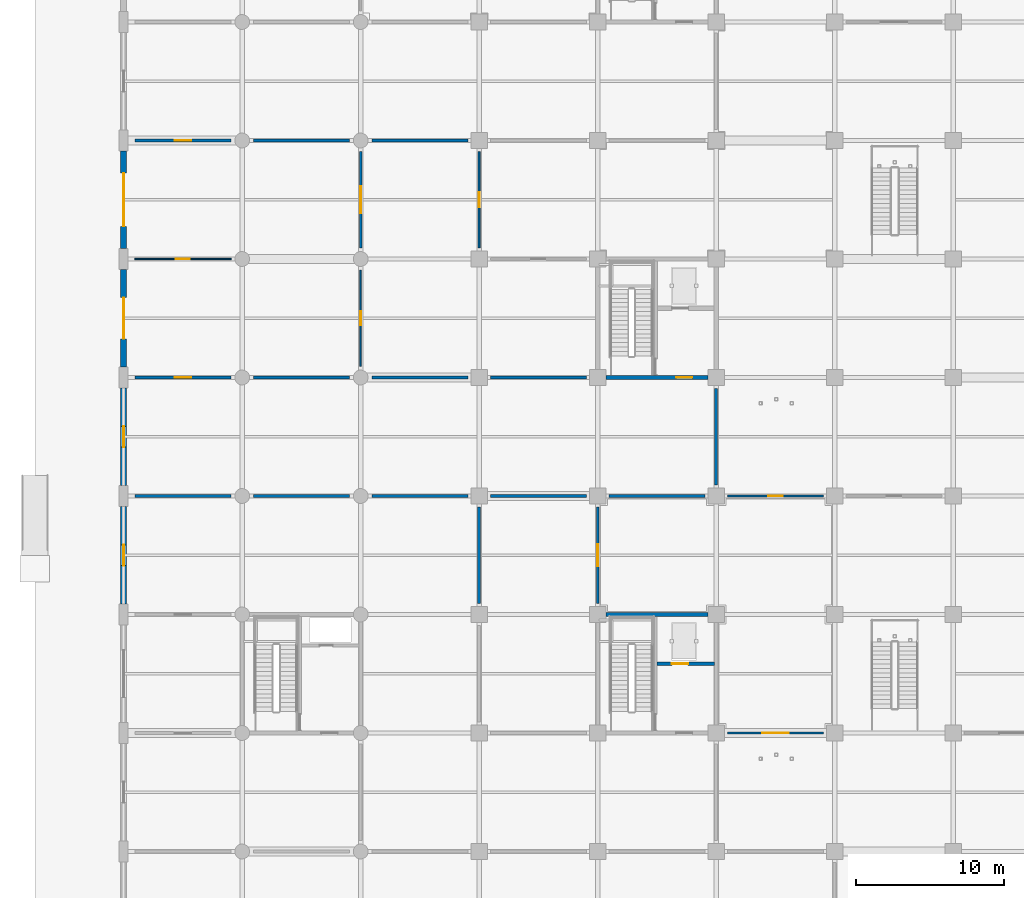
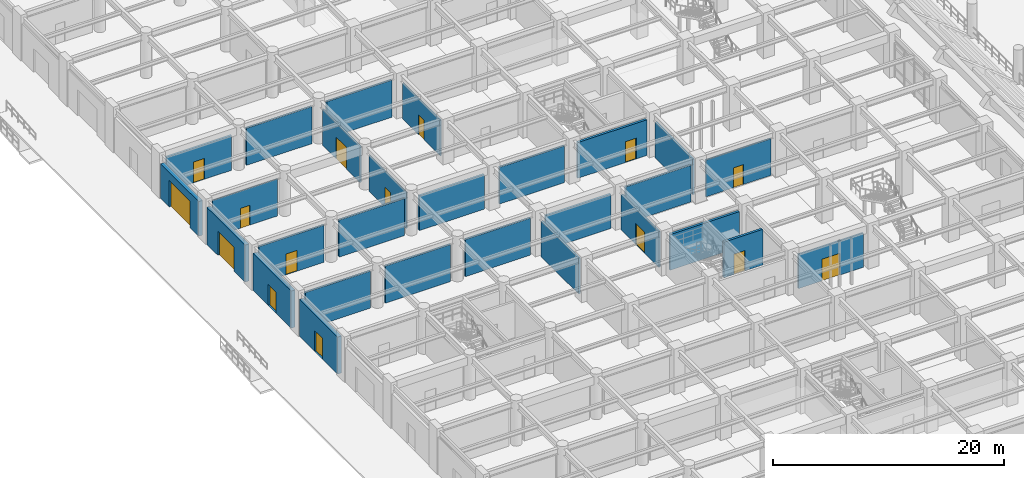
# One storey, part 79 of 125: 28 walls, 15 doors, 15 openings.
"""IFC4 building model written with IfcOpenShell, lengths in metres."""

from ifc_helpers import new_model, si_unit, direction, frame, frame_2d, origin, place, context, subcontext, project, spatial, rectangle, extrude, material, layer, layer_set, type_object, element, fill, save


model = new_model("IFC4")

# Units and contexts
model_context = context("Model", 3, precision=1e-05, world=origin(), true_north=direction((0.0, 1.0)))
body_context = subcontext(model_context, "Body", "Model", "MODEL_VIEW")
ifc_project = project(units=[si_unit("LENGTHUNIT", "METRE"), si_unit("AREAUNIT", "SQUARE_METRE"), si_unit("VOLUMEUNIT", "CUBIC_METRE"), si_unit("PLANEANGLEUNIT", "RADIAN"), si_unit("MASSUNIT", "GRAM", prefix="KILO")], contexts=[model_context])

# Site, building, storey
site_placement = place(None, origin())
site = spatial("IfcSite", under=ifc_project, at=site_placement, CompositionType="ELEMENT")
building_placement = place(site_placement, origin())
building = spatial("IfcBuilding", under=site, at=building_placement, Name="Haebicheon Civic Stadium", CompositionType="ELEMENT")
storey_placement = place(building_placement, origin())
storey = spatial("IfcBuildingStorey", under=building, at=storey_placement, Name="L01", CompositionType="ELEMENT", Elevation=0.0)

# Wall
ifc_material_1 = material(Name="Concrete C40/50", Category="concrete")
ifc_layer_1 = layer(ifc_material_1, 0.239990234375, Name="Concrete C40/50")
ifc_layer_set_1 = layer_set([ifc_layer_1], Name="Concrete C40/50")
wall_type_1 = type_object("IfcWallType", Name="CW-SHR-240", PredefinedType="SHEAR", material=ifc_layer_set_1)
wall_1_placement = place(storey_placement, frame((32.550048828125, 88.0, 0.0), z_axis=(0.0, 0.0, 1.0), x_axis=(1.0, 0.0, 0.0)))
element("IfcWall", 1, at=wall_1_placement, inside=storey, type_object=wall_type_1, material=ifc_layer_set_1, Name="KC-03 L01 north core shear wall", PredefinedType="SHEAR", context=body_context, shape_type="SweptSolid", body=[
    extrude(rectangle(XDim=6.89990234375, YDim=0.239990234375, at=frame_2d((3.449951171875, 0.0))), origin(), (0.0, 0.0, 1.0), 3.77001953125),
])

# Wall, opening, door
wall_2_placement = place(storey_placement, frame((36.0, 84.679931640625, 0.0), z_axis=(0.0, 0.0, 1.0), x_axis=(1.0, 0.0, 0.0)))
wall_2 = element("IfcWall", 2, at=wall_2_placement, inside=storey, type_object=wall_type_1, material=ifc_layer_set_1, Name="KC-03 L01 lift shaft front wall", PredefinedType="SHEAR", context=body_context, shape_type="SweptSolid", body=[
    extrude(rectangle(XDim=3.8798828125, YDim=0.239990234375, at=frame_2d((1.93994140625, 0.0))), origin(), (0.0, 0.0, 1.0), 3.77001953125),
])
opening_1_placement = place(wall_2_placement, frame((1.0, 0.0, 0.0)))
opening_1 = element("IfcOpeningElement", 3, at=opening_1_placement, cuts=wall_2, Name="Opening LD-03-L01", PredefinedType="OPENING", context=body_context, shape_type="SweptSolid", body=[
    extrude(rectangle(XDim=1.10009765625, YDim=2.14990234375, at=frame_2d((0.550048828125, 1.074951171875))), frame((0.0, 0.1298828125, 0.0), z_axis=(0.0, -1.0, 0.0), x_axis=(1.0, 0.0, 0.0)), (0.0, 0.0, 1.0), 0.260009765625),
])
ifc_material_2 = material(Name="Stainless steel 316", Category="steel")
door_type_1 = type_object("IfcDoorType", Name="ID-LD-1100", OperationType="NOTDEFINED", PredefinedType="DOOR", material=ifc_material_2)
door_1_placement = place(opening_1_placement, origin())
door_1 = element("IfcDoor", 4, at=door_1_placement, inside=storey, type_object=door_type_1, material=ifc_material_2, Name="LF-03 lift landing sliding door L01", OperationType="SLIDING_TO_LEFT", OverallHeight=2.14990234375, OverallWidth=1.10009765625, PredefinedType="DOOR", context=body_context, shape_type="SweptSolid", body=[
    extrude(rectangle(XDim=1.10009765625, YDim=2.14990234375, at=frame_2d((0.550048828125, 1.074951171875))), frame((0.0, 0.02490234375, 0.0), z_axis=(0.0, -1.0, 0.0), x_axis=(1.0, 0.0, 0.0)), (0.0, 0.0, 1.0), 0.050048828125),
])
fill(opening_1, door_1)

wall_3_placement = place(storey_placement, frame((32.550048828125, 104.0, 0.0), z_axis=(0.0, 0.0, 1.0), x_axis=(1.0, 0.0, 0.0)))
wall_3 = element("IfcWall", 5, at=wall_3_placement, inside=storey, type_object=wall_type_1, material=ifc_layer_set_1, Name="KC-04 L01 south core shear wall", PredefinedType="SHEAR", context=body_context, shape_type="SweptSolid", body=[
    extrude(rectangle(XDim=6.89990234375, YDim=0.239990234375, at=frame_2d((3.449951171875, 0.0))), origin(), (0.0, 0.0, 1.0), 3.77001953125),
])
opening_2_placement = place(wall_3_placement, frame((4.75, 0.0, 0.0)))
opening_2 = element("IfcOpeningElement", 6, at=opening_2_placement, cuts=wall_3, Name="Opening D-L01-KC-04-LOB", PredefinedType="OPENING", context=body_context, shape_type="SweptSolid", body=[
    extrude(rectangle(XDim=1.10009765625, YDim=2.199951171875, at=frame_2d((0.550048828125, 1.10009765625))), frame((0.0, 0.1298828125, 0.0), z_axis=(0.0, -1.0, 0.0), x_axis=(1.0, 0.0, 0.0)), (0.0, 0.0, 1.0), 0.260009765625),
])
ifc_material_3 = material(Name="Galvanised painted steel SM355", Category="steel")
door_type_2 = type_object("IfcDoorType", Name="ID-FD-1100", OperationType="NOTDEFINED", PredefinedType="DOOR", material=ifc_material_3)
door_2_placement = place(opening_2_placement, origin())
door_2 = element("IfcDoor", 7, at=door_2_placement, inside=storey, type_object=door_type_2, material=ifc_material_3, Name="L01 KC-04 lobby fire door", OperationType="SINGLE_SWING_RIGHT", OverallHeight=2.199951171875, OverallWidth=1.10009765625, PredefinedType="DOOR", context=body_context, shape_type="SweptSolid", body=[
    extrude(rectangle(XDim=1.10009765625, YDim=2.199951171875, at=frame_2d((0.550048828125, 1.10009765625))), frame((0.0, 0.02490234375, 0.0), z_axis=(0.0, -1.0, 0.0), x_axis=(1.0, 0.0, 0.0)), (0.0, 0.0, 1.0), 0.050048828125),
])
fill(opening_2, door_2)

ifc_material_4 = material(Name="Concrete C40/50", Category="concrete")
ifc_layer_2 = layer(ifc_material_4, 0.39990234375, Name="Concrete C40/50")
ifc_layer_set_2 = layer_set([ifc_layer_2], Name="Concrete C40/50")
wall_type_2 = type_object("IfcWallType", Name="EW-BM-400", PredefinedType="SOLIDWALL", material=ifc_layer_set_2)
wall_4_placement = place(storey_placement, frame((0.0, 88.699951171875, 0.0), z_axis=(0.0, 0.0, 1.0), x_axis=(0.0, 1.0, 0.0)))
wall_4 = element("IfcWall", 8, at=wall_4_placement, inside=storey, type_object=wall_type_2, material=ifc_layer_set_2, Name="L01 board-marked concrete facade wall 00-11-W", PredefinedType="SOLIDWALL", context=body_context, shape_type="SweptSolid", body=[
    extrude(rectangle(XDim=6.60009765625, YDim=0.39990234375, at=frame_2d((3.300048828125, 0.0))), origin(), (0.0, 0.0, 1.0), 3.909912109375),
])
opening_3_placement = place(wall_4_placement, frame((2.60009765625, 0.0, 0.0)))
opening_3 = element("IfcOpeningElement", 9, at=opening_3_placement, cuts=wall_4, Name="Opening DX16", PredefinedType="OPENING", context=body_context, shape_type="SweptSolid", body=[
    extrude(rectangle(XDim=1.39990234375, YDim=2.199951171875, at=frame_2d((0.699951171875, 1.10009765625))), frame((0.0, 0.2099609375, 0.0), z_axis=(0.0, -1.0, 0.0), x_axis=(1.0, 0.0, 0.0)), (0.0, 0.0, 1.0), 0.419921875),
])
ifc_material_5 = material(Name="Galvanised painted steel SM355", Category="steel")
door_type_3 = type_object("IfcDoorType", Name="ED-EXIT-1400", OperationType="NOTDEFINED", PredefinedType="DOOR", material=ifc_material_5)
door_3_placement = place(opening_3_placement, origin())
door_3 = element("IfcDoor", 10, at=door_3_placement, inside=storey, type_object=door_type_3, material=ifc_material_5, Name="Protected exit passage final exit door DX16", OperationType="SINGLE_SWING_LEFT", OverallHeight=2.199951171875, OverallWidth=1.39990234375, PredefinedType="DOOR", context=body_context, shape_type="SweptSolid", body=[
    extrude(rectangle(XDim=1.39990234375, YDim=2.199951171875, at=frame_2d((0.699951171875, 1.10009765625))), frame((0.0, 0.02490234375, 0.0), z_axis=(0.0, -1.0, 0.0), x_axis=(1.0, 0.0, 0.0)), (0.0, 0.0, 1.0), 0.050048828125),
])
fill(opening_3, door_3)

wall_5_placement = place(storey_placement, frame((0.0, 96.699951171875, 0.0), z_axis=(0.0, 0.0, 1.0), x_axis=(0.0, 1.0, 0.0)))
wall_5 = element("IfcWall", 11, at=wall_5_placement, inside=storey, type_object=wall_type_2, material=ifc_layer_set_2, Name="L01 board-marked concrete facade wall 00-12-W", PredefinedType="SOLIDWALL", context=body_context, shape_type="SweptSolid", body=[
    extrude(rectangle(XDim=6.60009765625, YDim=0.39990234375, at=frame_2d((3.300048828125, 0.0))), origin(), (0.0, 0.0, 1.0), 3.909912109375),
])
opening_4_placement = place(wall_5_placement, frame((2.60009765625, 0.0, 0.0)))
opening_4 = element("IfcOpeningElement", 12, at=opening_4_placement, cuts=wall_5, Name="Opening DX13", PredefinedType="OPENING", context=body_context, shape_type="SweptSolid", body=[
    extrude(rectangle(XDim=1.39990234375, YDim=2.199951171875, at=frame_2d((0.699951171875, 1.10009765625))), frame((0.0, 0.2099609375, 0.0), z_axis=(0.0, -1.0, 0.0), x_axis=(1.0, 0.0, 0.0)), (0.0, 0.0, 1.0), 0.419921875),
])
door_4_placement = place(opening_4_placement, origin())
door_4 = element("IfcDoor", 13, at=door_4_placement, inside=storey, type_object=door_type_3, material=ifc_material_5, Name="Protected exit passage final exit door DX13", OperationType="SINGLE_SWING_LEFT", OverallHeight=2.199951171875, OverallWidth=1.39990234375, PredefinedType="DOOR", context=body_context, shape_type="SweptSolid", body=[
    extrude(rectangle(XDim=1.39990234375, YDim=2.199951171875, at=frame_2d((0.699951171875, 1.10009765625))), frame((0.0, 0.02490234375, 0.0), z_axis=(0.0, -1.0, 0.0), x_axis=(1.0, 0.0, 0.0)), (0.0, 0.0, 1.0), 0.050048828125),
])
fill(opening_4, door_4)

wall_6_placement = place(storey_placement, frame((0.0, 104.699951171875, 0.0), z_axis=(0.0, 0.0, 1.0), x_axis=(0.0, 1.0, 0.0)))
wall_6 = element("IfcWall", 14, at=wall_6_placement, inside=storey, type_object=wall_type_2, material=ifc_layer_set_2, Name="L01 board-marked concrete facade wall 00-13-W", PredefinedType="SOLIDWALL", context=body_context, shape_type="SweptSolid", body=[
    extrude(rectangle(XDim=6.60009765625, YDim=0.39990234375, at=frame_2d((3.300048828125, 0.0))), origin(), (0.0, 0.0, 1.0), 3.909912109375),
])
opening_5_placement = place(wall_6_placement, frame((1.89990234375, 0.0, 0.0)))
opening_5 = element("IfcOpeningElement", 15, at=opening_5_placement, cuts=wall_6, Name="Opening G03", PredefinedType="OPENING", context=body_context, shape_type="SweptSolid", body=[
    extrude(rectangle(XDim=2.800048828125, YDim=2.550048828125, at=frame_2d((1.39990234375, 1.27490234375))), frame((0.0, 0.2099609375, 0.0), z_axis=(0.0, -1.0, 0.0), x_axis=(1.0, 0.0, 0.0)), (0.0, 0.0, 1.0), 0.419921875),
])
ifc_material_6 = material(Name="Anodised aluminium 6063-T6", Category="aluminium")
door_type_4 = type_object("IfcDoorType", Name="ED-GATE-2800", OperationType="NOTDEFINED", PredefinedType="DOOR", material=ifc_material_6)
door_5_placement = place(opening_5_placement, origin())
door_5 = element("IfcDoor", 16, at=door_5_placement, inside=storey, type_object=door_type_4, material=ifc_material_6, Name="Pedestrian exit gate G3", OperationType="DOUBLE_SWING_LEFT", OverallHeight=2.550048828125, OverallWidth=2.800048828125, PredefinedType="DOOR", context=body_context, shape_type="SweptSolid", body=[
    extrude(rectangle(XDim=2.800048828125, YDim=2.550048828125, at=frame_2d((1.39990234375, 1.27490234375))), frame((0.0, 0.02490234375, 0.0), z_axis=(0.0, -1.0, 0.0), x_axis=(1.0, 0.0, 0.0)), (0.0, 0.0, 1.0), 0.050048828125),
])
fill(opening_5, door_5)

wall_7_placement = place(storey_placement, frame((0.0, 112.699951171875, 0.0), z_axis=(0.0, 0.0, 1.0), x_axis=(0.0, 1.0, 0.0)))
wall_7 = element("IfcWall", 17, at=wall_7_placement, inside=storey, type_object=wall_type_2, material=ifc_layer_set_2, Name="L01 board-marked concrete facade wall 00-14-W", PredefinedType="SOLIDWALL", context=body_context, shape_type="SweptSolid", body=[
    extrude(rectangle(XDim=6.60009765625, YDim=0.39990234375, at=frame_2d((3.300048828125, 0.0))), origin(), (0.0, 0.0, 1.0), 3.659912109375),
])
opening_6_placement = place(wall_7_placement, frame((1.5, 0.0, 0.0)))
opening_6 = element("IfcOpeningElement", 18, at=opening_6_placement, cuts=wall_7, Name="Opening E03", PredefinedType="OPENING", context=body_context, shape_type="SweptSolid", body=[
    extrude(rectangle(XDim=3.60009765625, YDim=2.800048828125, at=frame_2d((1.800048828125, 1.39990234375))), frame((0.0, 0.2099609375, 0.0), z_axis=(0.0, -1.0, 0.0), x_axis=(1.0, 0.0, 0.0)), (0.0, 0.0, 1.0), 0.419921875),
])
ifc_material_7 = material(Name="Anodised aluminium and laminated glass", Category="aluminium")
door_type_5 = type_object("IfcDoorType", Name="ED-MAIN-3600", OperationType="NOTDEFINED", PredefinedType="DOOR", material=ifc_material_7)
door_6_placement = place(opening_6_placement, origin())
door_6 = element("IfcDoor", 19, at=door_6_placement, inside=storey, type_object=door_type_5, material=ifc_material_7, Name="Main entrance E3", OperationType="DOUBLE_SWING_LEFT", OverallHeight=2.800048828125, OverallWidth=3.60009765625, PredefinedType="DOOR", context=body_context, shape_type="SweptSolid", body=[
    extrude(rectangle(XDim=3.60009765625, YDim=2.800048828125, at=frame_2d((1.800048828125, 1.39990234375))), frame((0.0, 0.02490234375, 0.0), z_axis=(0.0, -1.0, 0.0), x_axis=(1.0, 0.0, 0.0)), (0.0, 0.0, 1.0), 0.050048828125),
])
fill(opening_6, door_6)

ifc_material_8 = material(Name="Concrete C35/45", Category="concrete")
ifc_layer_3 = layer(ifc_material_8, 0.199951171875, Name="Concrete C35/45")
ifc_layer_set_3 = layer_set([ifc_layer_3], Name="Concrete C35/45")
wall_type_3 = type_object("IfcWallType", Name="IW-FIR-200", PredefinedType="PARTITIONING", material=ifc_layer_set_3)
wall_8_placement = place(storey_placement, frame((0.75, 120.0, 0.0), z_axis=(0.0, 0.0, 1.0), x_axis=(1.0, 0.0, 0.0)))
wall_8 = element("IfcWall", 20, at=wall_8_placement, inside=storey, type_object=wall_type_3, material=ifc_layer_set_3, Name="L01 KC-05 protected exit passage EI 120 wall 01", PredefinedType="PARTITIONING", context=body_context, shape_type="SweptSolid", body=[
    extrude(rectangle(XDim=6.5, YDim=0.199951171875, at=frame_2d((3.25, 0.0))), origin(), (0.0, 0.0, 1.0), 3.659912109375),
])
opening_7_placement = place(wall_8_placement, frame((2.699951171875, 0.0, 0.0)))
opening_7 = element("IfcOpeningElement", 21, at=opening_7_placement, cuts=wall_8, Name="Opening D-L01-PXP-02", PredefinedType="OPENING", context=body_context, shape_type="SweptSolid", body=[
    extrude(rectangle(XDim=1.10009765625, YDim=2.199951171875, at=frame_2d((0.550048828125, 1.10009765625))), frame((0.0, 0.10986328125, 0.0), z_axis=(0.0, -1.0, 0.0), x_axis=(1.0, 0.0, 0.0)), (0.0, 0.0, 1.0), 0.219970703125),
])
door_7_placement = place(opening_7_placement, origin())
door_7 = element("IfcDoor", 22, at=door_7_placement, inside=storey, type_object=door_type_2, material=ifc_material_3, Name="L01 KC-05 protected exit passage lobby fire door", OperationType="SINGLE_SWING_RIGHT", OverallHeight=2.199951171875, OverallWidth=1.10009765625, PredefinedType="DOOR", context=body_context, shape_type="SweptSolid", body=[
    extrude(rectangle(XDim=1.10009765625, YDim=2.199951171875, at=frame_2d((0.550048828125, 1.10009765625))), frame((0.0, 0.02490234375, 0.0), z_axis=(0.0, -1.0, 0.0), x_axis=(1.0, 0.0, 0.0)), (0.0, 0.0, 1.0), 0.050048828125),
])
fill(opening_7, door_7)

# Walls
for number, where, z_axis, x_axis, name in (
    (23, (8.75, 120.0, 0.0), (0.0, 0.0, 1.0), (1.0, 0.0, 0.0), "L01 KC-05 protected exit passage EI 120 wall 03"),
    (24, (16.75, 120.0, 0.0), (0.0, 0.0, 1.0), (1.0, 0.0, 0.0), "L01 KC-05 protected exit passage EI 120 wall 05"),
    (25, (0.75, 96.0, 0.0), (0.0, 0.0, 1.0), (1.0, 0.0, 0.0), "L01 KC-04 protected exit passage EI 120 wall 01"),
):
    element("IfcWall", number, at=place(storey_placement, frame(where, z_axis=z_axis, x_axis=x_axis)), inside=storey, type_object=wall_type_3, material=ifc_layer_set_3, Name=name, PredefinedType="PARTITIONING", context=body_context, shape_type="SweptSolid", body=[
        extrude(rectangle(XDim=6.5, YDim=0.199951171875, at=frame_2d((3.25, 0.0))), origin(), (0.0, 0.0, 1.0), 3.909912109375),
    ])

# Wall, opening, door
wall_9_placement = place(storey_placement, frame((0.75, 104.0, 0.0), z_axis=(0.0, 0.0, 1.0), x_axis=(1.0, 0.0, 0.0)))
wall_9 = element("IfcWall", 26, at=wall_9_placement, inside=storey, type_object=wall_type_3, material=ifc_layer_set_3, Name="L01 KC-04 protected exit passage EI 120 wall 02", PredefinedType="PARTITIONING", context=body_context, shape_type="SweptSolid", body=[
    extrude(rectangle(XDim=6.5, YDim=0.199951171875, at=frame_2d((3.25, 0.0))), origin(), (0.0, 0.0, 1.0), 3.909912109375),
])
opening_8_placement = place(wall_9_placement, frame((2.699951171875, 0.0, 0.0)))
opening_8 = element("IfcOpeningElement", 27, at=opening_8_placement, cuts=wall_9, Name="Opening D-L01-PXP-13", PredefinedType="OPENING", context=body_context, shape_type="SweptSolid", body=[
    extrude(rectangle(XDim=1.10009765625, YDim=2.199951171875, at=frame_2d((0.550048828125, 1.10009765625))), frame((0.0, 0.10986328125, 0.0), z_axis=(0.0, -1.0, 0.0), x_axis=(1.0, 0.0, 0.0)), (0.0, 0.0, 1.0), 0.219970703125),
])
door_8_placement = place(opening_8_placement, origin())
door_8 = element("IfcDoor", 28, at=door_8_placement, inside=storey, type_object=door_type_2, material=ifc_material_3, Name="L01 KC-04 protected exit passage lobby fire door", OperationType="SINGLE_SWING_LEFT", OverallHeight=2.199951171875, OverallWidth=1.10009765625, PredefinedType="DOOR", context=body_context, shape_type="SweptSolid", body=[
    extrude(rectangle(XDim=1.10009765625, YDim=2.199951171875, at=frame_2d((0.550048828125, 1.10009765625))), frame((0.0, 0.02490234375, 0.0), z_axis=(0.0, -1.0, 0.0), x_axis=(1.0, 0.0, 0.0)), (0.0, 0.0, 1.0), 0.050048828125),
])
fill(opening_8, door_8)

# Walls
for number, where, z_axis, x_axis, name in (
    (29, (8.75, 96.0, 0.0), (0.0, 0.0, 1.0), (1.0, 0.0, 0.0), "L01 KC-04 protected exit passage EI 120 wall 03"),
    (30, (8.75, 104.0, 0.0), (0.0, 0.0, 1.0), (1.0, 0.0, 0.0), "L01 KC-04 protected exit passage EI 120 wall 04"),
    (31, (16.75, 96.0, 0.0), (0.0, 0.0, 1.0), (1.0, 0.0, 0.0), "L01 KC-04 protected exit passage EI 120 wall 05"),
):
    element("IfcWall", number, at=place(storey_placement, frame(where, z_axis=z_axis, x_axis=x_axis)), inside=storey, type_object=wall_type_3, material=ifc_layer_set_3, Name=name, PredefinedType="PARTITIONING", context=body_context, shape_type="SweptSolid", body=[
        extrude(rectangle(XDim=6.5, YDim=0.199951171875, at=frame_2d((3.25, 0.0))), origin(), (0.0, 0.0, 1.0), 3.909912109375),
    ])
wall_10_placement = place(storey_placement, frame((16.75, 104.0, 0.0), z_axis=(0.0, 0.0, 1.0), x_axis=(1.0, 0.0, 0.0)))
element("IfcWall", 32, at=wall_10_placement, inside=storey, type_object=wall_type_3, material=ifc_layer_set_3, Name="L01 KC-04 protected exit passage EI 120 wall 06", PredefinedType="PARTITIONING", context=body_context, shape_type="SweptSolid", body=[
    extrude(rectangle(XDim=6.5, YDim=0.199951171875, at=frame_2d((3.25, 0.0))), origin(), (0.0, 0.0, 1.0), 3.659912109375),
])
wall_11_placement = place(storey_placement, frame((24.75, 96.0, 0.0), z_axis=(0.0, 0.0, 1.0), x_axis=(1.0, 0.0, 0.0)))
element("IfcWall", 33, at=wall_11_placement, inside=storey, type_object=wall_type_3, material=ifc_layer_set_3, Name="L01 KC-04 protected exit passage EI 120 wall 07", PredefinedType="PARTITIONING", context=body_context, shape_type="SweptSolid", body=[
    extrude(rectangle(XDim=6.5, YDim=0.199951171875, at=frame_2d((3.25, 0.0))), origin(), (0.0, 0.0, 1.0), 3.6201171875),
])
wall_12_placement = place(storey_placement, frame((24.75, 104.0, 0.0), z_axis=(0.0, 0.0, 1.0), x_axis=(1.0, 0.0, 0.0)))
element("IfcWall", 34, at=wall_12_placement, inside=storey, type_object=wall_type_3, material=ifc_layer_set_3, Name="L01 KC-04 protected exit passage EI 120 wall 08", PredefinedType="PARTITIONING", context=body_context, shape_type="SweptSolid", body=[
    extrude(rectangle(XDim=6.5, YDim=0.199951171875, at=frame_2d((3.25, 0.0))), origin(), (0.0, 0.0, 1.0), 3.8701171875),
])
wall_13_placement = place(storey_placement, frame((40.0, 96.75, 0.0), z_axis=(0.0, 0.0, 1.0), x_axis=(0.0, 1.0, 0.0)))
element("IfcWall", 35, at=wall_13_placement, inside=storey, type_object=wall_type_3, material=ifc_layer_set_3, Name="L01 KC-04 protected exit passage EI 120 wall 09", PredefinedType="PARTITIONING", context=body_context, shape_type="SweptSolid", body=[
    extrude(rectangle(XDim=6.5, YDim=0.199951171875, at=frame_2d((3.25, 0.0))), origin(), (0.0, 0.0, 1.0), 3.77001953125),
])
wall_14_placement = place(storey_placement, frame((32.75, 96.0, 0.0), z_axis=(0.0, 0.0, 1.0), x_axis=(1.0, 0.0, 0.0)))
element("IfcWall", 36, at=wall_14_placement, inside=storey, type_object=wall_type_3, material=ifc_layer_set_3, Name="L01 KC-04 protected exit passage EI 120 wall 10", PredefinedType="PARTITIONING", context=body_context, shape_type="SweptSolid", body=[
    extrude(rectangle(XDim=6.5, YDim=0.199951171875, at=frame_2d((3.25, 0.0))), origin(), (0.0, 0.0, 1.0), 3.8701171875),
])
wall_15_placement = place(storey_placement, frame((24.0, 88.75, 0.0), z_axis=(0.0, 0.0, 1.0), x_axis=(0.0, 1.0, 0.0)))
element("IfcWall", 37, at=wall_15_placement, inside=storey, type_object=wall_type_3, material=ifc_layer_set_3, Name="L01 KC-03 protected exit passage EI 120 wall 07", PredefinedType="PARTITIONING", context=body_context, shape_type="SweptSolid", body=[
    extrude(rectangle(XDim=6.5, YDim=0.199951171875, at=frame_2d((3.25, 0.0))), origin(), (0.0, 0.0, 1.0), 3.77001953125),
])

# Wall, opening, door
ifc_material_9 = material(Name="Anodised aluminium and laminated glass", Category="aluminium")
ifc_layer_4 = layer(ifc_material_9, 0.10009765625, Name="Anodised aluminium and laminated glass")
ifc_layer_set_4 = layer_set([ifc_layer_4], Name="Anodised aluminium and laminated glass")
wall_type_4 = type_object("IfcWallType", Name="IW-PRT-100", PredefinedType="PARTITIONING", material=ifc_layer_set_4)
wall_16_placement = place(storey_placement, frame((0.75, 112.0, 0.0), z_axis=(0.0, 0.0, 1.0), x_axis=(1.0, 0.0, 0.0)))
wall_16 = element("IfcWall", 38, at=wall_16_placement, inside=storey, type_object=wall_type_4, material=ifc_layer_set_4, Name="L01 Supporters' Cafe partition wall", PredefinedType="PARTITIONING", context=body_context, shape_type="SweptSolid", body=[
    extrude(rectangle(XDim=6.5, YDim=0.10009765625, at=frame_2d((3.25, 0.0))), origin(), (0.0, 0.0, 1.0), 3.909912109375),
])
opening_9_placement = place(wall_16_placement, frame((2.77490234375, 0.0, 0.0)))
opening_9 = element("IfcOpeningElement", 39, at=opening_9_placement, cuts=wall_16, Name="Opening D-L01-169", PredefinedType="OPENING", context=body_context, shape_type="SweptSolid", body=[
    extrude(rectangle(XDim=0.949951171875, YDim=2.10009765625, at=frame_2d((0.47509765625, 1.050048828125))), frame((0.0, 0.06005859375, 0.0), z_axis=(0.0, -1.0, 0.0), x_axis=(1.0, 0.0, 0.0)), (0.0, 0.0, 1.0), 0.1201171875),
])
ifc_material_10 = material(Name="Engineered hardwood timber", Category="wood")
door_type_6 = type_object("IfcDoorType", Name="ID-RM-0950", OperationType="NOTDEFINED", PredefinedType="DOOR", material=ifc_material_10)
door_9_placement = place(opening_9_placement, origin())
door_9 = element("IfcDoor", 40, at=door_9_placement, inside=storey, type_object=door_type_6, material=ifc_material_10, Name="L01 Supporters' Cafe entrance door D-L01-169", OperationType="SINGLE_SWING_LEFT", OverallHeight=2.10009765625, OverallWidth=0.949951171875, PredefinedType="DOOR", context=body_context, shape_type="SweptSolid", body=[
    extrude(rectangle(XDim=0.949951171875, YDim=2.10009765625, at=frame_2d((0.47509765625, 1.050048828125))), frame((0.0, 0.02490234375, 0.0), z_axis=(0.0, -1.0, 0.0), x_axis=(1.0, 0.0, 0.0)), (0.0, 0.0, 1.0), 0.050048828125),
])
fill(opening_9, door_9)

wall_17_placement = place(storey_placement, frame((16.0, 104.75, 0.0), z_axis=(0.0, 0.0, 1.0), x_axis=(0.0, 1.0, 0.0)))
wall_17 = element("IfcWall", 41, at=wall_17_placement, inside=storey, type_object=wall_type_4, material=ifc_layer_set_4, Name="L01 Club Megastore partition wall", PredefinedType="PARTITIONING", context=body_context, shape_type="SweptSolid", body=[
    extrude(rectangle(XDim=6.5, YDim=0.10009765625, at=frame_2d((3.25, 0.0))), origin(), (0.0, 0.0, 1.0), 3.81005859375),
])
opening_10_placement = place(wall_17_placement, frame((2.77490234375, 0.0, 0.0)))
opening_10 = element("IfcOpeningElement", 42, at=opening_10_placement, cuts=wall_17, Name="Opening D-L01-175", PredefinedType="OPENING", context=body_context, shape_type="SweptSolid", body=[
    extrude(rectangle(XDim=0.949951171875, YDim=2.10009765625, at=frame_2d((0.47509765625, 1.050048828125))), frame((0.0, 0.06005859375, 0.0), z_axis=(0.0, -1.0, 0.0), x_axis=(1.0, 0.0, 0.0)), (0.0, 0.0, 1.0), 0.1201171875),
])
door_10_placement = place(opening_10_placement, origin())
door_10 = element("IfcDoor", 43, at=door_10_placement, inside=storey, type_object=door_type_6, material=ifc_material_10, Name="L01 Club Megastore entrance door D-L01-175", OperationType="SINGLE_SWING_LEFT", OverallHeight=2.10009765625, OverallWidth=0.949951171875, PredefinedType="DOOR", context=body_context, shape_type="SweptSolid", body=[
    extrude(rectangle(XDim=0.949951171875, YDim=2.10009765625, at=frame_2d((0.47509765625, 1.050048828125))), frame((0.0, 0.02490234375, 0.0), z_axis=(0.0, -1.0, 0.0), x_axis=(1.0, 0.0, 0.0)), (0.0, 0.0, 1.0), 0.050048828125),
])
fill(opening_10, door_10)

ifc_material_11 = material(Name="Gypsum plasterboard on steel studs", Category="gypsum")
ifc_layer_5 = layer(ifc_material_11, 0.1298828125, Name="Gypsum plasterboard on steel studs")
ifc_layer_set_5 = layer_set([ifc_layer_5], Name="Gypsum plasterboard on steel studs")
wall_type_5 = type_object("IfcWallType", Name="IW-PRT-130", PredefinedType="PARTITIONING", material=ifc_layer_set_5)
wall_18_placement = place(storey_placement, frame((24.0, 112.75, 0.0), z_axis=(0.0, 0.0, 1.0), x_axis=(0.0, 1.0, 0.0)))
wall_18 = element("IfcWall", 44, at=wall_18_placement, inside=storey, type_object=wall_type_5, material=ifc_layer_set_5, Name="L01 Civic Sports Exhibition Gallery partition wall", PredefinedType="PARTITIONING", context=body_context, shape_type="SweptSolid", body=[
    extrude(rectangle(XDim=6.5, YDim=0.1298828125, at=frame_2d((3.25, 0.0))), origin(), (0.0, 0.0, 1.0), 3.77001953125),
])
opening_11_placement = place(wall_18_placement, frame((2.75, 0.0, 0.0)))
opening_11 = element("IfcOpeningElement", 45, at=opening_11_placement, cuts=wall_18, Name="Opening D-L01-176", PredefinedType="OPENING", context=body_context, shape_type="SweptSolid", body=[
    extrude(rectangle(XDim=1.0, YDim=2.10009765625, at=frame_2d((0.5, 1.050048828125))), frame((0.0, 0.074951171875, 0.0), z_axis=(0.0, -1.0, 0.0), x_axis=(1.0, 0.0, 0.0)), (0.0, 0.0, 1.0), 0.14990234375),
])
ifc_material_12 = material(Name="Engineered hardwood timber", Category="wood")
door_type_7 = type_object("IfcDoorType", Name="ID-RM-1000", OperationType="NOTDEFINED", PredefinedType="DOOR", material=ifc_material_12)
door_11_placement = place(opening_11_placement, origin())
door_11 = element("IfcDoor", 46, at=door_11_placement, inside=storey, type_object=door_type_7, material=ifc_material_12, Name="L01 Civic Sports Exhibition Gallery entrance door D-L01-176", OperationType="SINGLE_SWING_RIGHT", OverallHeight=2.10009765625, OverallWidth=1.0, PredefinedType="DOOR", context=body_context, shape_type="SweptSolid", body=[
    extrude(rectangle(XDim=1.0, YDim=2.10009765625, at=frame_2d((0.5, 1.050048828125))), frame((0.0, 0.02490234375, 0.0), z_axis=(0.0, -1.0, 0.0), x_axis=(1.0, 0.0, 0.0)), (0.0, 0.0, 1.0), 0.050048828125),
])
fill(opening_11, door_11)

ifc_material_13 = material(Name="Gypsum plasterboard on steel studs", Category="gypsum")
ifc_layer_6 = layer(ifc_material_13, 0.14990234375, Name="Gypsum plasterboard on steel studs")
ifc_layer_set_6 = layer_set([ifc_layer_6], Name="Gypsum plasterboard on steel studs")
wall_type_6 = type_object("IfcWallType", Name="IW-PRT-150", PredefinedType="PARTITIONING", material=ifc_layer_set_6)
wall_19_placement = place(storey_placement, frame((40.75, 80.0, 0.0), z_axis=(0.0, 0.0, 1.0), x_axis=(1.0, 0.0, 0.0)))
wall_19 = element("IfcWall", 47, at=wall_19_placement, inside=storey, type_object=wall_type_6, material=ifc_layer_set_6, Name="L01 Mixed Zone Media Interview Hall partition wall", PredefinedType="PARTITIONING", context=body_context, shape_type="SweptSolid", body=[
    extrude(rectangle(XDim=6.5, YDim=0.14990234375, at=frame_2d((3.25, 0.0))), origin(), (0.0, 0.0, 1.0), 3.6201171875),
])
opening_12_placement = place(wall_19_placement, frame((2.35009765625, 0.0, 0.0)))
opening_12 = element("IfcOpeningElement", 48, at=opening_12_placement, cuts=wall_19, Name="Opening D-L01-119", PredefinedType="OPENING", context=body_context, shape_type="SweptSolid", body=[
    extrude(rectangle(XDim=1.800048828125, YDim=2.300048828125, at=frame_2d((0.89990234375, 1.14990234375))), frame((0.0, 0.0849609375, 0.0), z_axis=(0.0, -1.0, 0.0), x_axis=(1.0, 0.0, 0.0)), (0.0, 0.0, 1.0), 0.169921875),
])
ifc_material_14 = material(Name="Galvanised painted steel SM355", Category="steel")
door_type_8 = type_object("IfcDoorType", Name="ID-DBL-1800", OperationType="NOTDEFINED", PredefinedType="DOOR", material=ifc_material_14)
door_12_placement = place(opening_12_placement, origin())
door_12 = element("IfcDoor", 49, at=door_12_placement, inside=storey, type_object=door_type_8, material=ifc_material_14, Name="L01 Mixed Zone Media Interview Hall entrance door D-L01-119", OperationType="DOUBLE_SWING_LEFT", OverallHeight=2.300048828125, OverallWidth=1.800048828125, PredefinedType="DOOR", context=body_context, shape_type="SweptSolid", body=[
    extrude(rectangle(XDim=1.800048828125, YDim=2.300048828125, at=frame_2d((0.89990234375, 1.14990234375))), frame((0.0, 0.02490234375, 0.0), z_axis=(0.0, -1.0, 0.0), x_axis=(1.0, 0.0, 0.0)), (0.0, 0.0, 1.0), 0.050048828125),
])
fill(opening_12, door_12)

wall_20_placement = place(storey_placement, frame((16.0, 112.75, 0.0), z_axis=(0.0, 0.0, 1.0), x_axis=(0.0, 1.0, 0.0)))
wall_20 = element("IfcWall", 50, at=wall_20_placement, inside=storey, type_object=wall_type_6, material=ifc_layer_set_6, Name="L01 Ticketing Hall partition wall", PredefinedType="PARTITIONING", context=body_context, shape_type="SweptSolid", body=[
    extrude(rectangle(XDim=6.5, YDim=0.14990234375, at=frame_2d((3.25, 0.0))), origin(), (0.0, 0.0, 1.0), 3.81005859375),
])
opening_13_placement = place(wall_20_placement, frame((2.35009765625, 0.0, 0.0)))
opening_13 = element("IfcOpeningElement", 51, at=opening_13_placement, cuts=wall_20, Name="Opening D-L01-170", PredefinedType="OPENING", context=body_context, shape_type="SweptSolid", body=[
    extrude(rectangle(XDim=1.800048828125, YDim=2.300048828125, at=frame_2d((0.89990234375, 1.14990234375))), frame((0.0, 0.0849609375, 0.0), z_axis=(0.0, -1.0, 0.0), x_axis=(1.0, 0.0, 0.0)), (0.0, 0.0, 1.0), 0.169921875),
])
door_13_placement = place(opening_13_placement, origin())
door_13 = element("IfcDoor", 52, at=door_13_placement, inside=storey, type_object=door_type_8, material=ifc_material_14, Name="L01 Ticketing Hall entrance door D-L01-170", OperationType="DOUBLE_SWING_LEFT", OverallHeight=2.300048828125, OverallWidth=1.800048828125, PredefinedType="DOOR", context=body_context, shape_type="SweptSolid", body=[
    extrude(rectangle(XDim=1.800048828125, YDim=2.300048828125, at=frame_2d((0.89990234375, 1.14990234375))), frame((0.0, 0.02490234375, 0.0), z_axis=(0.0, -1.0, 0.0), x_axis=(1.0, 0.0, 0.0)), (0.0, 0.0, 1.0), 0.050048828125),
])
fill(opening_13, door_13)

ifc_material_15 = material(Name="Concrete C35/45", Category="concrete")
ifc_layer_7 = layer(ifc_material_15, 0.159912109375, Name="Concrete C35/45")
ifc_layer_set_7 = layer_set([ifc_layer_7], Name="Concrete C35/45")
wall_type_7 = type_object("IfcWallType", Name="IW-PRT-160", PredefinedType="PARTITIONING", material=ifc_layer_set_7)
wall_21_placement = place(storey_placement, frame((40.75, 96.0, 0.0), z_axis=(0.0, 0.0, 1.0), x_axis=(1.0, 0.0, 0.0)))
wall_21 = element("IfcWall", 53, at=wall_21_placement, inside=storey, type_object=wall_type_7, material=ifc_layer_set_7, Name="L01 Pitchside Emergency Medical Clinic partition wall", PredefinedType="PARTITIONING", context=body_context, shape_type="SweptSolid", body=[
    extrude(rectangle(XDim=6.5, YDim=0.159912109375, at=frame_2d((3.25, 0.0))), origin(), (0.0, 0.0, 1.0), 3.8701171875),
])
opening_14_placement = place(wall_21_placement, frame((2.75, 0.0, 0.0)))
opening_14 = element("IfcOpeningElement", 54, at=opening_14_placement, cuts=wall_21, Name="Opening D-L01-120", PredefinedType="OPENING", context=body_context, shape_type="SweptSolid", body=[
    extrude(rectangle(XDim=1.0, YDim=2.10009765625, at=frame_2d((0.5, 1.050048828125))), frame((0.0, 0.08984375, 0.0), z_axis=(0.0, -1.0, 0.0), x_axis=(1.0, 0.0, 0.0)), (0.0, 0.0, 1.0), 0.179931640625),
])
door_14_placement = place(opening_14_placement, origin())
door_14 = element("IfcDoor", 55, at=door_14_placement, inside=storey, type_object=door_type_7, material=ifc_material_12, Name="L01 Pitchside Emergency Medical Clinic entrance door D-L01-120", OperationType="SINGLE_SWING_RIGHT", OverallHeight=2.10009765625, OverallWidth=1.0, PredefinedType="DOOR", context=body_context, shape_type="SweptSolid", body=[
    extrude(rectangle(XDim=1.0, YDim=2.10009765625, at=frame_2d((0.5, 1.050048828125))), frame((0.0, 0.02490234375, 0.0), z_axis=(0.0, -1.0, 0.0), x_axis=(1.0, 0.0, 0.0)), (0.0, 0.0, 1.0), 0.050048828125),
])
fill(opening_14, door_14)

ifc_material_16 = material(Name="Concrete C35/45", Category="concrete")
ifc_layer_8 = layer(ifc_material_16, 0.179931640625, Name="Concrete C35/45")
ifc_layer_set_8 = layer_set([ifc_layer_8], Name="Concrete C35/45")
wall_type_8 = type_object("IfcWallType", Name="IW-PRT-180", PredefinedType="PARTITIONING", material=ifc_layer_set_8)
wall_22_placement = place(storey_placement, frame((32.0, 88.75, 0.0), z_axis=(0.0, 0.0, 1.0), x_axis=(0.0, 1.0, 0.0)))
wall_22 = element("IfcWall", 56, at=wall_22_placement, inside=storey, type_object=wall_type_8, material=ifc_layer_set_8, Name="L01 Fire Command Room partition wall", PredefinedType="PARTITIONING", context=body_context, shape_type="SweptSolid", body=[
    extrude(rectangle(XDim=6.5, YDim=0.179931640625, at=frame_2d((3.25, 0.0))), origin(), (0.0, 0.0, 1.0), 3.77001953125),
])
opening_15_placement = place(wall_22_placement, frame((2.5, 0.0, 0.0)))
opening_15 = element("IfcOpeningElement", 57, at=opening_15_placement, cuts=wall_22, Name="Opening D-L01-114", PredefinedType="OPENING", context=body_context, shape_type="SweptSolid", body=[
    extrude(rectangle(XDim=1.5, YDim=2.199951171875, at=frame_2d((0.75, 1.10009765625))), frame((0.0, 0.099853515625, 0.0), z_axis=(0.0, -1.0, 0.0), x_axis=(1.0, 0.0, 0.0)), (0.0, 0.0, 1.0), 0.199951171875),
])
ifc_material_17 = material(Name="Galvanised painted steel SM355", Category="steel")
door_type_9 = type_object("IfcDoorType", Name="ID-FD-1500", OperationType="NOTDEFINED", PredefinedType="DOOR", material=ifc_material_17)
door_15_placement = place(opening_15_placement, origin())
door_15 = element("IfcDoor", 58, at=door_15_placement, inside=storey, type_object=door_type_9, material=ifc_material_17, Name="L01 Fire Command Room entrance door D-L01-114", OperationType="SINGLE_SWING_LEFT", OverallHeight=2.199951171875, OverallWidth=1.5, PredefinedType="DOOR", context=body_context, shape_type="SweptSolid", body=[
    extrude(rectangle(XDim=1.5, YDim=2.199951171875, at=frame_2d((0.75, 1.10009765625))), frame((0.0, 0.02490234375, 0.0), z_axis=(0.0, -1.0, 0.0), x_axis=(1.0, 0.0, 0.0)), (0.0, 0.0, 1.0), 0.050048828125),
])
fill(opening_15, door_15)

save(model, "model.ifc")
